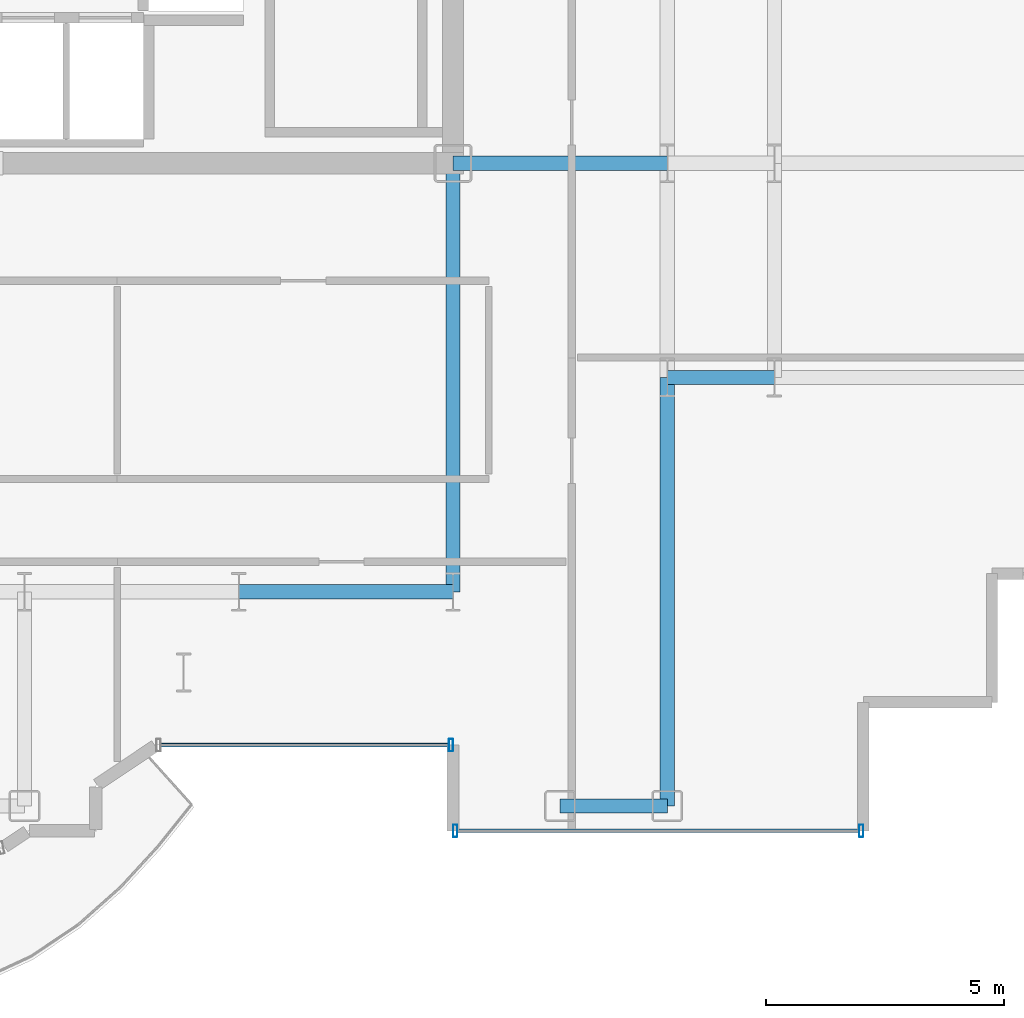
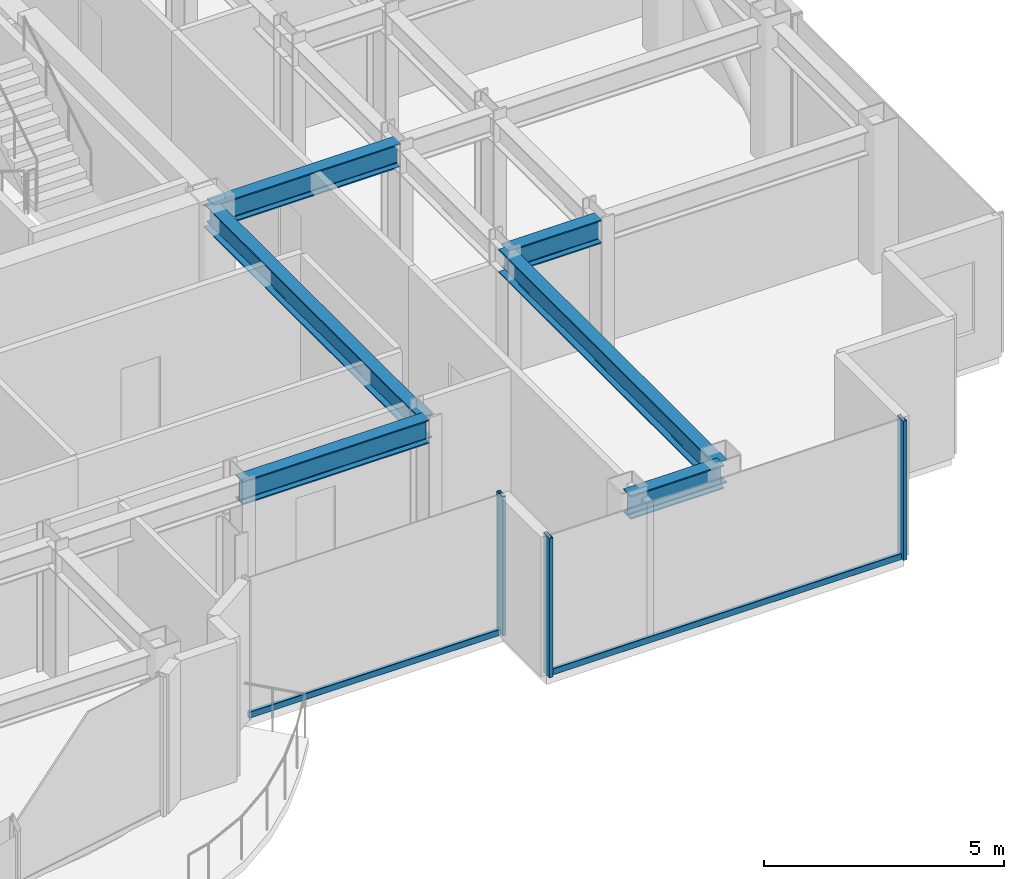
# One storey, part 6 of 22: 6 beams, 5 members, 2 elements without a shape of their own.
"""IFC4 building model written with IfcOpenShell, lengths in metres."""

from ifc_helpers import new_model, si_unit, direction, frame, origin, origin_2d, place, context, subcontext, project, spatial, hollow_rectangle, i_section, extrude, source, transform, mapped, material, layer, layer_set, material_profile, profile_set, type_object, element, aggregate, save


model = new_model("IFC4")

# Units and contexts
model_context = context("Model", 3, precision=1e-05, world=origin(), true_north=direction((0.0, 1.0)))
body_context = subcontext(model_context, "Body", "Model", "MODEL_VIEW")
ifc_project = project(units=[si_unit("LENGTHUNIT", "METRE"), si_unit("AREAUNIT", "SQUARE_METRE"), si_unit("VOLUMEUNIT", "CUBIC_METRE"), si_unit("PLANEANGLEUNIT", "RADIAN"), si_unit("MASSUNIT", "GRAM", prefix="KILO")], contexts=[model_context])

# Site, building, storey
site_placement = place(None, origin())
site = spatial("IfcSite", under=ifc_project, at=site_placement, CompositionType="ELEMENT")
building_placement = place(site_placement, origin())
building = spatial("IfcBuilding", under=site, at=building_placement, Name="Nefas-Gora Pilgrimage Tower", CompositionType="ELEMENT")
storey_placement = place(building_placement, frame((0.0, 0.0, 218.0)))
storey = spatial("IfcBuildingStorey", under=building, at=storey_placement, Name="L54", CompositionType="ELEMENT", Elevation=218.0)

# Beams
ifc_material_1 = material(Name="Steel S355", Category="steel")
ifc_material_profile_1 = material_profile(ifc_material_1, i_section(OverallWidth=0.300048828125, OverallDepth=0.60009765625, WebThickness=0.015380859375, FlangeThickness=0.030029296875, FilletRadius=0.027099609375, at=origin_2d()), Name="HEB 600")
ifc_profile_set_1 = profile_set([ifc_material_profile_1], Name="Steel S355")
beam_type_1 = type_object("IfcBeamType", Name="BM-GIR-HEB600", PredefinedType="BEAM", material=ifc_profile_set_1)
shared_shape_1 = source(origin(), body_context, "Body", "SweptSolid", [
    extrude(i_section(OverallWidth=0.300048828125, OverallDepth=0.60009765625, WebThickness=0.015380859375, FlangeThickness=0.030029296875, FilletRadius=0.027099609375, at=origin_2d()), origin(), (0.0, 0.0, 1.0), 9.0),
])
for number, where, z_axis, x_axis, name in (
    (1, (11.25, -18.0, 3.25), (0.0, 1.0, 0.0), (-1.0, 0.0, 0.0), "L54 G-04 beam"),
    (2, (15.75, -22.5, 3.25), (0.0, 1.0, 0.0), (-1.0, 0.0, 0.0), "L54 G-04 beam"),
):
    element("IfcBeam", number, at=place(storey_placement, frame(where, z_axis=z_axis, x_axis=x_axis)), inside=storey, type_object=beam_type_1, Name=name, PredefinedType="BEAM", context=body_context, shape_type="MappedRepresentation", body=[
        mapped(shared_shape_1, transform((0.0, 0.0, 0.0), x_axis=(1.0, 0.0, 0.0), y_axis=(0.0, 1.0, 0.0), z_axis=(0.0, 0.0, 1.0), scale=1.0)),
    ])
shared_shape_2 = source(origin(), body_context, "Body", "SweptSolid", [
    extrude(i_section(OverallWidth=0.300048828125, OverallDepth=0.60009765625, WebThickness=0.015380859375, FlangeThickness=0.030029296875, FilletRadius=0.027099609375, at=origin_2d()), origin(), (0.0, 0.0, 1.0), 4.5),
])
for number, where, z_axis, x_axis, name in (
    (3, (6.75, -18.0, 3.25), (1.0, 0.0, 0.0), (0.0, 1.0, 0.0), "L54 G-04 beam"),
    (4, (11.25, -9.0, 3.25), (1.0, 0.0, 0.0), (0.0, 1.0, 0.0), "L54 G-04 beam"),
):
    element("IfcBeam", number, at=place(storey_placement, frame(where, z_axis=z_axis, x_axis=x_axis)), inside=storey, type_object=beam_type_1, Name=name, PredefinedType="BEAM", context=body_context, shape_type="MappedRepresentation", body=[
        mapped(shared_shape_2, transform((0.0, 0.0, 0.0), x_axis=(1.0, 0.0, 0.0), y_axis=(0.0, 1.0, 0.0), z_axis=(0.0, 0.0, 1.0), scale=1.0)),
    ])
ifc_material_profile_2 = material_profile(ifc_material_1, i_section(OverallWidth=0.300048828125, OverallDepth=0.60009765625, WebThickness=0.015380859375, FlangeThickness=0.030029296875, FilletRadius=0.027099609375, at=origin_2d()), Name="HEB 600")
ifc_profile_set_2 = profile_set([ifc_material_profile_2], Name="Steel S355")
beam_type_2 = type_object("IfcBeamType", Name="BM-SPN-HEB450", PredefinedType="SPANDREL", material=ifc_profile_set_2)
shared_shape_3 = source(origin(), body_context, "Body", "SweptSolid", [
    extrude(i_section(OverallWidth=0.300048828125, OverallDepth=0.60009765625, WebThickness=0.015380859375, FlangeThickness=0.030029296875, FilletRadius=0.027099609375, at=origin_2d()), origin(), (0.0, 0.0, 1.0), 2.25),
])
beam_1_placement = place(storey_placement, frame((13.5, -22.5, 3.25), z_axis=(1.0, 0.0, 0.0), x_axis=(0.0, 1.0, 0.0)))
element("IfcBeam", 5, at=beam_1_placement, inside=storey, type_object=beam_type_2, Name="L54 SP-03 beam", PredefinedType="SPANDREL", context=body_context, shape_type="MappedRepresentation", body=[
    mapped(shared_shape_3, transform((0.0, 0.0, 0.0), x_axis=(1.0, 0.0, 0.0), y_axis=(0.0, 1.0, 0.0), z_axis=(0.0, 0.0, 1.0), scale=1.0)),
])
shared_shape_4 = source(origin(), body_context, "Body", "SweptSolid", [
    extrude(i_section(OverallWidth=0.300048828125, OverallDepth=0.60009765625, WebThickness=0.015380859375, FlangeThickness=0.030029296875, FilletRadius=0.027099609375, at=origin_2d()), origin(), (0.0, 0.0, 1.0), 2.25),
])
beam_2_placement = place(storey_placement, frame((15.75, -13.5, 3.25), z_axis=(1.0, 0.0, 0.0), x_axis=(0.0, 1.0, 0.0)))
element("IfcBeam", 6, at=beam_2_placement, inside=storey, type_object=beam_type_1, Name="L54 G-04 beam", PredefinedType="BEAM", context=body_context, shape_type="MappedRepresentation", body=[
    mapped(shared_shape_4, transform((0.0, 0.0, 0.0), x_axis=(1.0, 0.0, 0.0), y_axis=(0.0, 1.0, 0.0), z_axis=(0.0, 0.0, 1.0), scale=1.0)),
])

# Curtain wall, members
ifc_material_2 = material(Name="Dark ceramic-fritted solar-control aluminium-glass curtain wall", Category="aluminium")
ifc_layer_1 = layer(ifc_material_2, 0.219970703125)
ifc_layer_set_1 = layer_set([ifc_layer_1], Name="Dark ceramic-fritted solar-control aluminium-glass curtain wall")
curtain_wall_type_1 = type_object("IfcCurtainWallType", Name="CW-SYS-5", PredefinedType="NOTDEFINED", material=ifc_layer_set_1)
curtain_wall_1_placement = place(storey_placement, origin())
curtain_wall_1 = element("IfcCurtainWall", 7, at=curtain_wall_1_placement, inside=storey, type_object=curtain_wall_type_1, Name="L54 Unitised Curtain Wall CW5", PredefinedType="NOTDEFINED")
ifc_material_3 = material(Name="Anodised architectural aluminium", Category="aluminium")
ifc_material_profile_3 = material_profile(ifc_material_3, hollow_rectangle(XDim=0.090087890625, YDim=0.260009765625, WallThickness=0.006103515625, InnerFilletRadius=0.006103515625, OuterFilletRadius=0.011962890625, at=origin_2d()), Name="ALU MULLION 90x260")
ifc_profile_set_3 = profile_set([ifc_material_profile_3], Name="Anodised architectural aluminium")
member_type_1 = type_object("IfcMemberType", Name="CWM-MUL-5", PredefinedType="MULLION", material=ifc_profile_set_3)
shared_shape_5 = source(origin(), body_context, "Body", "SweptSolid", [
    extrude(hollow_rectangle(XDim=0.090087890625, YDim=0.260009765625, WallThickness=0.006103515625, InnerFilletRadius=0.006103515625, OuterFilletRadius=0.011962890625, at=origin_2d()), origin(), (0.0, 0.0, 1.0), 3.550048828125),
])
member_1_placement = place(storey_placement, frame((11.205078125, -21.219970703125, 0.0), z_axis=(0.0, 0.0, 1.0), x_axis=(1.0, 0.0, 0.0)))
member_1 = element("IfcMember", 8, at=member_1_placement, type_object=member_type_1, Name="CW5 Mullion 2", PredefinedType="MULLION", context=body_context, shape_type="MappedRepresentation", body=[
    mapped(shared_shape_5, transform((0.0, 0.0, 0.0), x_axis=(1.0, 0.0, 0.0), y_axis=(0.0, 1.0, 0.0), z_axis=(0.0, 0.0, 1.0), scale=1.0)),
])
ifc_material_profile_4 = material_profile(ifc_material_3, hollow_rectangle(XDim=0.080078125, YDim=0.159912109375, WallThickness=0.00439453125, InnerFilletRadius=0.00439453125, OuterFilletRadius=0.009033203125, at=origin_2d()), Name="ALU TRANSOM 80x160")
ifc_profile_set_4 = profile_set([ifc_material_profile_4], Name="Anodised architectural aluminium")
member_type_2 = type_object("IfcMemberType", Name="CWM-TRN-5", PredefinedType="USERDEFINED", material=ifc_profile_set_4)
shared_shape_6 = source(origin(), body_context, "Body", "SweptSolid", [
    extrude(hollow_rectangle(XDim=0.080078125, YDim=0.159912109375, WallThickness=0.00439453125, InnerFilletRadius=0.00439453125, OuterFilletRadius=0.009033203125, at=origin_2d()), origin(), (0.0, 0.0, 1.0), 6.052001953125),
])
member_2_placement = place(storey_placement, frame((5.10791015625, -21.219970703125, 0.050048828125), z_axis=(1.0, 0.0, 0.0), x_axis=(0.0, 1.0, 0.0)))
member_2 = element("IfcMember", 9, at=member_2_placement, type_object=member_type_2, Name="CW5 Spandrel Transom", ObjectType="TRANSOM", PredefinedType="USERDEFINED", context=body_context, shape_type="MappedRepresentation", body=[
    mapped(shared_shape_6, transform((0.0, 0.0, 0.0), x_axis=(1.0, 0.0, 0.0), y_axis=(0.0, 1.0, 0.0), z_axis=(0.0, 0.0, 1.0), scale=1.0)),
])
aggregate(curtain_wall_1, [member_1, member_2])

ifc_layer_2 = layer(ifc_material_2, 0.219970703125)
ifc_layer_set_2 = layer_set([ifc_layer_2], Name="Dark ceramic-fritted solar-control aluminium-glass curtain wall")
curtain_wall_type_2 = type_object("IfcCurtainWallType", Name="CW-SYS-3", PredefinedType="NOTDEFINED", material=ifc_layer_set_2)
curtain_wall_2_placement = place(storey_placement, origin())
curtain_wall_2 = element("IfcCurtainWall", 10, at=curtain_wall_2_placement, inside=storey, type_object=curtain_wall_type_2, Name="L54 Unitised Curtain Wall CW3", PredefinedType="NOTDEFINED")
ifc_material_profile_5 = material_profile(ifc_material_3, hollow_rectangle(XDim=0.090087890625, YDim=0.260009765625, WallThickness=0.006103515625, InnerFilletRadius=0.006103515625, OuterFilletRadius=0.011962890625, at=origin_2d()), Name="ALU MULLION 90x260")
ifc_profile_set_5 = profile_set([ifc_material_profile_5], Name="Anodised architectural aluminium")
member_type_3 = type_object("IfcMemberType", Name="CWM-MUL-3", PredefinedType="MULLION", material=ifc_profile_set_5)
shared_shape_7 = source(origin(), body_context, "Body", "SweptSolid", [
    extrude(hollow_rectangle(XDim=0.090087890625, YDim=0.260009765625, WallThickness=0.006103515625, InnerFilletRadius=0.006103515625, OuterFilletRadius=0.011962890625, at=origin_2d()), origin(), (0.0, 0.0, 1.0), 3.550048828125),
])
member_3_placement = place(storey_placement, frame((11.294921875, -23.02001953125, 0.0), z_axis=(0.0, 0.0, 1.0), x_axis=(1.0, 0.0, 0.0)))
member_3 = element("IfcMember", 11, at=member_3_placement, type_object=member_type_3, Name="CW3 Mullion 1", PredefinedType="MULLION", context=body_context, shape_type="MappedRepresentation", body=[
    mapped(shared_shape_7, transform((0.0, 0.0, 0.0), x_axis=(1.0, 0.0, 0.0), y_axis=(0.0, 1.0, 0.0), z_axis=(0.0, 0.0, 1.0), scale=1.0)),
])
member_4_placement = place(storey_placement, frame((19.824951171875, -23.02001953125, 0.0), z_axis=(0.0, 0.0, 1.0), x_axis=(1.0, 0.0, 0.0)))
member_4 = element("IfcMember", 12, at=member_4_placement, type_object=member_type_3, Name="CW3 Mullion 2", PredefinedType="MULLION", context=body_context, shape_type="MappedRepresentation", body=[
    mapped(shared_shape_7, transform((0.0, 0.0, 0.0), x_axis=(1.0, 0.0, 0.0), y_axis=(0.0, 1.0, 0.0), z_axis=(0.0, 0.0, 1.0), scale=1.0)),
])
ifc_material_profile_6 = material_profile(ifc_material_3, hollow_rectangle(XDim=0.080078125, YDim=0.159912109375, WallThickness=0.00439453125, InnerFilletRadius=0.00439453125, OuterFilletRadius=0.009033203125, at=origin_2d()), Name="ALU TRANSOM 80x160")
ifc_profile_set_6 = profile_set([ifc_material_profile_6], Name="Anodised architectural aluminium")
member_type_4 = type_object("IfcMemberType", Name="CWM-TRN-3", PredefinedType="USERDEFINED", material=ifc_profile_set_6)
shared_shape_8 = source(origin(), body_context, "Body", "SweptSolid", [
    extrude(hollow_rectangle(XDim=0.080078125, YDim=0.159912109375, WallThickness=0.00439453125, InnerFilletRadius=0.00439453125, OuterFilletRadius=0.009033203125, at=origin_2d()), origin(), (0.0, 0.0, 1.0), 8.43994140625),
])
member_5_placement = place(storey_placement, frame((11.340087890625, -23.02001953125, 0.050048828125), z_axis=(1.0, 0.0, 0.0), x_axis=(0.0, 1.0, 0.0)))
member_5 = element("IfcMember", 13, at=member_5_placement, type_object=member_type_4, Name="CW3 Spandrel Transom", ObjectType="TRANSOM", PredefinedType="USERDEFINED", context=body_context, shape_type="MappedRepresentation", body=[
    mapped(shared_shape_8, transform((0.0, 0.0, 0.0), x_axis=(1.0, 0.0, 0.0), y_axis=(0.0, 1.0, 0.0), z_axis=(0.0, 0.0, 1.0), scale=1.0)),
])
aggregate(curtain_wall_2, [member_3, member_4, member_5])

save(model, "model.ifc")
